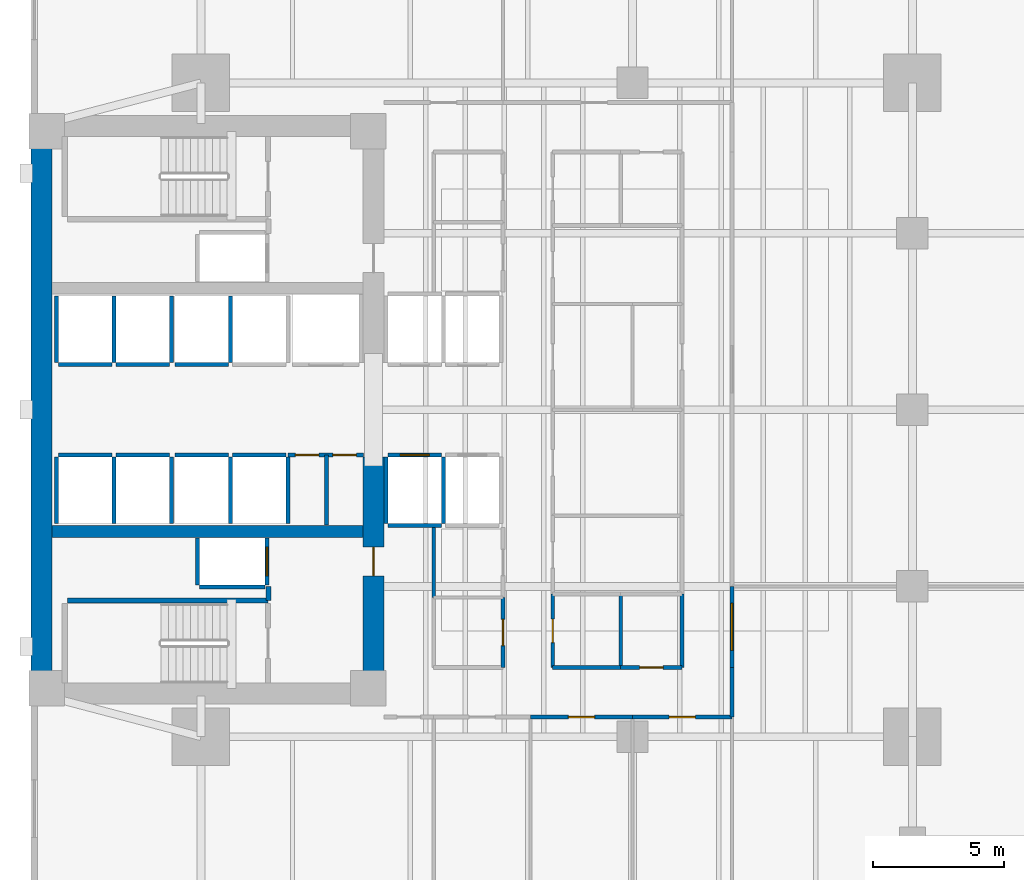
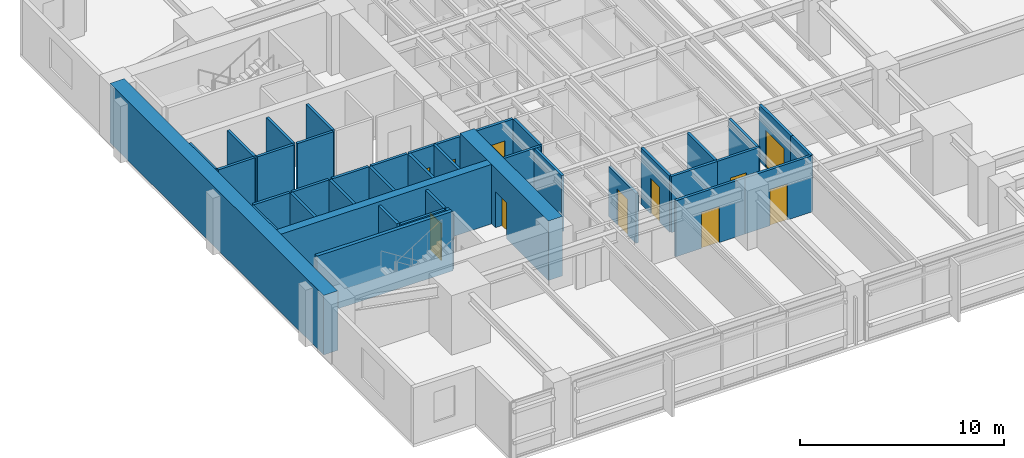
# One storey, part 8 of 15: 41 walls, 11 doors, 11 openings.
"""IFC4 building model written with IfcOpenShell, lengths in metres."""

import ifcopenshell
import ifcopenshell.guid

model = None  # the IFC model being written
_history = None  # IfcOwnerHistory: only IFC2X3 demands one
_inside = {}  # id of a spatial element -> (the spatial element, [elements in it])
_under = {}  # id of a project, library or spatial element -> (it, [spatial elements below it])
_declared = {}  # id of a project -> (the project, [libraries it declares])
_typed = {}  # id of a type object -> (the type object, [elements of that type])
_made_of = {}  # id of a material, layer set ... -> (it, [elements and type objects made of it])


def new_model(schema):
    """Start an empty IFC model of exactly this schema.

    Asked for "IFC4X3", IfcOpenShell would pick the latest addendum, in which some entities
    have other attributes; the version numbers below select the first issue.
    IFC2X3 requires an IfcOwnerHistory on every rooted entity: one is made here for all.
    """
    global model, _history
    if schema == "IFC4X3":
        model = ifcopenshell.file(schema_version=(4, 3, 0, 0))
    else:
        model = ifcopenshell.file(schema=schema)
    _inside.clear()
    _under.clear()
    _declared.clear()
    _typed.clear()
    _made_of.clear()
    _history = None
    if model.schema == "IFC2X3":
        org = make("IfcOrganization", Name="unknown")
        user = make(
            "IfcPersonAndOrganization",
            ThePerson=make("IfcPerson", FamilyName="unknown"),
            TheOrganization=org,
        )
        app = make(
            "IfcApplication",
            ApplicationDeveloper=org,
            Version="unknown",
            ApplicationFullName="unknown",
            ApplicationIdentifier="unknown",
        )
        _history = make(
            "IfcOwnerHistory",
            OwningUser=user,
            OwningApplication=app,
            ChangeAction="ADDED",
            CreationDate=0,
        )
    return model


def make(cls, **values):
    """One entity of the class cls with the attributes given. An attribute that is None is left unset."""
    return model.create_entity(
        cls, **{name: value for name, value in values.items() if value is not None}
    )


def rooted(cls, **values):
    """An entity with a GlobalId (a new one), such as an element, a storey or a relation."""
    return make(cls, GlobalId=ifcopenshell.guid.new(), OwnerHistory=_history, **values)


def si_unit(unit_type, name, prefix=None):
    """IfcSIUnit, for example si_unit("LENGTHUNIT", "METRE", prefix="MILLI")."""
    return make("IfcSIUnit", UnitType=unit_type, Prefix=prefix, Name=name)


def assignment(units):
    """IfcUnitAssignment: the units of a project."""
    return None if units is None else make("IfcUnitAssignment", Units=units)


def point(xyz):
    """IfcCartesianPoint."""
    return None if xyz is None else make("IfcCartesianPoint", Coordinates=xyz)


def direction(xyz):
    """IfcDirection."""
    return None if xyz is None else make("IfcDirection", DirectionRatios=xyz)


def frame(location, z_axis=None, x_axis=None):
    """IfcAxis2Placement3D, a coordinate frame: its origin and axes. An axis left out is left unset."""
    return make(
        "IfcAxis2Placement3D",
        Location=point(location),
        Axis=direction(z_axis),
        RefDirection=direction(x_axis),
    )


def frame_2d(location, x_axis=None):
    """IfcAxis2Placement2D, a coordinate frame in the plane: its origin and x axis."""
    return make(
        "IfcAxis2Placement2D", Location=point(location), RefDirection=direction(x_axis)
    )


def origin():
    """The frame at (0, 0, 0) with its axes left unset."""
    return frame((0.0, 0.0, 0.0))


def place(relative_to, where):
    """IfcLocalPlacement: puts the frame where relative to a parent placement (None: the world)."""
    return make(
        "IfcLocalPlacement", PlacementRelTo=relative_to, RelativePlacement=where
    )


def context(
    kind, dimensions, precision=None, world=None, true_north=None, identifier=None
):
    """IfcGeometricRepresentationContext, for example the 3D "Model" context."""
    return make(
        "IfcGeometricRepresentationContext",
        ContextIdentifier=identifier,
        ContextType=kind,
        CoordinateSpaceDimension=dimensions,
        Precision=precision,
        WorldCoordinateSystem=world,
        TrueNorth=true_north,
    )


def subcontext(parent, identifier, kind, view, scale=None):
    """IfcGeometricRepresentationSubContext, for example "Body" below "Model"."""
    return make(
        "IfcGeometricRepresentationSubContext",
        ContextIdentifier=identifier,
        ContextType=kind,
        ParentContext=parent,
        TargetScale=scale,
        TargetView=view,
    )


def project(units=None, contexts=None):
    """IfcProject with its units and contexts."""
    return rooted(
        "IfcProject",
        Name="project",
        RepresentationContexts=contexts,
        UnitsInContext=assignment(units),
    )


def spatial(cls, under=None, at=None, **own):
    """A site, building, storey or space (cls), placed at a placement, below another one or the project."""
    s = rooted(cls, ObjectPlacement=at, **own)
    if under is not None:
        _under.setdefault(under.id(), (under, []))[1].append(s)
    return s


def profile(cls, at=None, kind="AREA", **sizes):
    """A parametric profile (cls). Its sizes go by their IFC names, for example OverallWidth=200.0."""
    return make(cls, ProfileType=kind, Position=at, **sizes)


def rectangle(**sizes):
    """IfcRectangleProfileDef."""
    return profile("IfcRectangleProfileDef", **sizes)


def extrude(swept, where, along, depth):
    """IfcExtrudedAreaSolid: the profile swept, set in the frame where, extruded along a direction by depth."""
    return make(
        "IfcExtrudedAreaSolid",
        SweptArea=swept,
        Position=where,
        ExtrudedDirection=direction(along),
        Depth=depth,
    )


def shape(context_of_items, identifier, shape_type, items):
    """IfcShapeRepresentation: the items that make up one representation, for example the "Body"."""
    return make(
        "IfcShapeRepresentation",
        ContextOfItems=context_of_items,
        RepresentationIdentifier=identifier,
        RepresentationType=shape_type,
        Items=items,
    )


def material(Name=None, Category=None):
    """IfcMaterial."""
    return make("IfcMaterial", Name=Name, Category=Category)


def layer(
    of_material, thickness, ventilated=None, Name=None, Category=None, Priority=None
):
    """IfcMaterialLayer: one layer of a wall or slab, of a material (None: an air gap)."""
    return make(
        "IfcMaterialLayer",
        Material=of_material,
        LayerThickness=thickness,
        IsVentilated=ventilated,
        Name=Name,
        Category=Category,
        Priority=Priority,
    )


def layer_set(layers, Name=None):
    """IfcMaterialLayerSet."""
    return make("IfcMaterialLayerSet", MaterialLayers=layers, LayerSetName=Name)


def made_of(thing, what):
    """Note that an element or type object is made of a material, layer set ...; save() writes the relation."""
    if what is not None:
        _made_of.setdefault(what.id(), (what, []))[1].append(thing)
    return thing


def type_object(cls, material=None, **own):
    """A type object (cls), such as IfcWallType, which elements share."""
    return made_of(rooted(cls, **own), material)


def element(
    cls,
    number,
    at=None,
    inside=None,
    cuts=None,
    type_object=None,
    material=None,
    context=None,
    identifier="Body",
    shape_type=None,
    held_by="IfcProductDefinitionShape",
    body=None,
    shapes=None,
    **own,
):
    """One element of the class cls, such as IfcWall. Its Tag is "e" and its number.

    at: its placement. inside: the storey or other place that contains it. cuts: it is an
    opening in that element (IfcRelVoidsElement). A single representation is given by context,
    identifier, shape_type and body (its items); several are given by shapes. held_by: the class
    of the entity that holds the representations. save() writes the other relations.
    """
    e = rooted(cls, Tag="e%d" % number, ObjectPlacement=at, **own)
    if body is not None:
        shapes = [shape(context, identifier, shape_type, body)]
    if shapes is not None:
        e.Representation = make(held_by, Representations=shapes)
    if inside is not None:
        _inside.setdefault(inside.id(), (inside, []))[1].append(e)
    if cuts is not None:
        rooted(
            "IfcRelVoidsElement", RelatingBuildingElement=cuts, RelatedOpeningElement=e
        )
    if type_object is not None:
        _typed.setdefault(type_object.id(), (type_object, []))[1].append(e)
    return made_of(e, material)


def fill(opening, filler):
    """IfcRelFillsElement: the door or window that sits in an opening."""
    return rooted(
        "IfcRelFillsElement",
        RelatingOpeningElement=opening,
        RelatedBuildingElement=filler,
    )


def aggregate(whole, parts):
    """IfcRelAggregates: a whole, such as a stair, and the parts it consists of."""
    return rooted("IfcRelAggregates", RelatingObject=whole, RelatedObjects=parts)


def save(model, path):
    """Write the relations noted so far, then the file.

    IfcRelAggregates (storeys below a building ...), IfcRelContainedInSpatialStructure (elements
    in a storey), IfcRelDefinesByType, IfcRelAssociatesMaterial and IfcRelDeclares: one each for
    every whole, place, type object, material and project.
    """
    for whole, parts in _under.values():
        aggregate(whole, parts)
    for where, things in _inside.values():
        rooted(
            "IfcRelContainedInSpatialStructure",
            RelatedElements=things,
            RelatingStructure=where,
        )
    for kind, things in _typed.values():
        rooted("IfcRelDefinesByType", RelatedObjects=things, RelatingType=kind)
    for what, things in _made_of.values():
        rooted("IfcRelAssociatesMaterial", RelatedObjects=things, RelatingMaterial=what)
    for by, libraries in _declared.values():
        rooted("IfcRelDeclares", RelatingContext=by, RelatedDefinitions=libraries)
    model.write(path)


model = new_model("IFC4")

# Units and contexts
model_context = context("Model", 3, precision=1e-05, world=origin(), true_north=direction((0.0, 1.0)))
body_context = subcontext(model_context, "Body", "Model", "MODEL_VIEW")
ifc_project = project(units=[si_unit("LENGTHUNIT", "METRE"), si_unit("AREAUNIT", "SQUARE_METRE"), si_unit("VOLUMEUNIT", "CUBIC_METRE"), si_unit("PLANEANGLEUNIT", "RADIAN"), si_unit("MASSUNIT", "GRAM", prefix="KILO")], contexts=[model_context])

# Site, building, storey
site_placement = place(None, origin())
site = spatial("IfcSite", under=ifc_project, at=site_placement, CompositionType="ELEMENT")
building_placement = place(site_placement, origin())
building = spatial("IfcBuilding", under=site, at=building_placement, Name="Kinhvarn Gate Tower", CompositionType="ELEMENT")
storey_placement = place(building_placement, frame((0.0, 0.0, 89.5)))
storey = spatial("IfcBuildingStorey", under=building, at=storey_placement, Name="L23", CompositionType="ELEMENT", Elevation=89.5)

# Wall
ifc_material_1 = material(Name="Concrete C50/60", Category="concrete")
ifc_layer_1 = layer(ifc_material_1, 0.449951171875)
ifc_layer_set_1 = layer_set([ifc_layer_1], Name="Concrete C50/60")
wall_type_1 = type_object("IfcWallType", Name="WL-CORE-450", PredefinedType="SHEAR", material=ifc_layer_set_1)
wall_1_placement = place(storey_placement, frame((5.300048828125, 20.60009765625, 0.0), z_axis=(0.0, 0.0, 1.0), x_axis=(1.0, 0.0, 0.0)))
element("IfcWall", 1, at=wall_1_placement, inside=storey, type_object=wall_type_1, Name="Core South Spine Shear Wall L23 450 mm", PredefinedType="SHEAR", context=body_context, shape_type="SweptSolid", body=[
    extrude(rectangle(XDim=11.89990234375, YDim=0.449951171875, at=frame_2d((5.949951171875, 0.0))), origin(), (0.0, 0.0, 1.0), 3.550048828125),
])

# Wall, opening, door
ifc_material_2 = material(Name="Concrete C70/85", Category="concrete")
ifc_layer_2 = layer(ifc_material_2, 0.800048828125)
ifc_layer_set_2 = layer_set([ifc_layer_2], Name="Concrete C70/85")
wall_type_2 = type_object("IfcWallType", Name="WL-CORE-800", PredefinedType="SHEAR", material=ifc_layer_set_2)
wall_2_placement = place(storey_placement, frame((17.60009765625, 14.800048828125, 0.0), z_axis=(0.0, 0.0, 1.0), x_axis=(0.0, 1.0, 0.0)))
wall_2 = element("IfcWall", 2, at=wall_2_placement, inside=storey, type_object=wall_type_2, Name="Core East-South Shear Pier L23 800 mm", PredefinedType="SHEAR", context=body_context, shape_type="SweptSolid", body=[
    extrude(rectangle(XDim=8.64990234375, YDim=0.800048828125, at=frame_2d((4.324951171875, 0.0))), origin(), (0.0, 0.0, 1.0), 3.550048828125),
])
opening_1_placement = place(wall_2_placement, frame((4.10009765625, 0.0, 0.0)))
opening_1 = element("IfcOpeningElement", 3, at=opening_1_placement, cuts=wall_2, Name="Opening FD-02", PredefinedType="OPENING", context=body_context, shape_type="SweptSolid", body=[
    extrude(rectangle(XDim=1.10009765625, YDim=2.14990234375, at=frame_2d((0.550048828125, 1.074951171875))), frame((0.0, 0.41015625, 0.0), z_axis=(0.0, -1.0, 0.0), x_axis=(1.0, 0.0, 0.0)), (0.0, 0.0, 1.0), 0.820068359375),
])
ifc_material_3 = material(Name="Anodised aluminium AW-6063", Category="aluminium")
door_type_1 = type_object("IfcDoorType", Name="DR-FD-1100", OperationType="NOTDEFINED", PredefinedType="DOOR", material=ifc_material_3)
door_1_placement = place(opening_1_placement, origin())
door_1 = element("IfcDoor", 4, at=door_1_placement, inside=storey, type_object=door_type_1, Name="Firefighting Lobby Core Door (L23)", OperationType="SINGLE_SWING_RIGHT", OverallHeight=2.14990234375, OverallWidth=1.10009765625, PredefinedType="DOOR", context=body_context, shape_type="SweptSolid", body=[
    extrude(rectangle(XDim=1.10009765625, YDim=2.14990234375, at=frame_2d((0.550048828125, 1.074951171875))), frame((0.0, 0.02490234375, 0.0), z_axis=(0.0, -1.0, 0.0), x_axis=(1.0, 0.0, 0.0)), (0.0, 0.0, 1.0), 0.050048828125),
])
fill(opening_1, door_1)

# Walls
ifc_layer_3 = layer(ifc_material_2, 0.800048828125)
ifc_layer_set_3 = layer_set([ifc_layer_3], Name="Concrete C70/85")
wall_type_3 = type_object("IfcWallType", Name="WL-COREX-800", PredefinedType="SHEAR", material=ifc_layer_set_3)
wall_3_placement = place(storey_placement, frame((4.89990234375, 14.800048828125, 0.0), z_axis=(0.0, 0.0, 1.0), x_axis=(0.0, 1.0, 0.0)))
element("IfcWall", 5, at=wall_3_placement, inside=storey, type_object=wall_type_3, Name="Core West Shear Wall L23 800 mm", PredefinedType="SHEAR", context=body_context, shape_type="SweptSolid", body=[
    extrude(rectangle(XDim=20.89990234375, YDim=0.800048828125, at=frame_2d((10.449951171875, 0.0))), origin(), (0.0, 0.0, 1.0), 3.550048828125),
])
ifc_material_4 = material(Name="Gypsum acoustic partition board")
ifc_layer_4 = layer(ifc_material_4, 0.14990234375)
ifc_layer_set_4 = layer_set([ifc_layer_4], Name="Gypsum acoustic partition board")
wall_type_4 = type_object("IfcWallType", Name="WL-PLM-150", PredefinedType="PLUMBINGWALL", material=ifc_layer_set_4)
wall_4_placement = place(storey_placement, frame((27.050048828125, 15.39990234375, 0.0), z_axis=(0.0, 0.0, 1.0), x_axis=(0.0, 1.0, 0.0)))
element("IfcWall", 6, at=wall_4_placement, inside=storey, type_object=wall_type_4, Name="Interior Partition PLW-150 (L23)", PredefinedType="PLUMBINGWALL", context=body_context, shape_type="SweptSolid", body=[
    extrude(rectangle(XDim=2.800048828125, YDim=0.14990234375, at=frame_2d((1.39990234375, 0.0))), origin(), (0.0, 0.0, 1.0), 3.35009765625),
])

# Wall, opening, door
ifc_layer_5 = layer(ifc_material_4, 0.14990234375)
ifc_layer_set_5 = layer_set([ifc_layer_5], Name="Gypsum acoustic partition board")
wall_type_5 = type_object("IfcWallType", Name="WL-PLM-150F", PredefinedType="PLUMBINGWALL", material=ifc_layer_set_5)
wall_5_placement = place(storey_placement, frame((24.449951171875, 15.39990234375, 0.0), z_axis=(0.0, 0.0, 1.0), x_axis=(0.0, 1.0, 0.0)))
wall_5 = element("IfcWall", 7, at=wall_5_placement, inside=storey, type_object=wall_type_5, Name="Interior Partition PLW-150F (L23)", PredefinedType="PLUMBINGWALL", context=body_context, shape_type="SweptSolid", body=[
    extrude(rectangle(XDim=2.800048828125, YDim=0.14990234375, at=frame_2d((1.39990234375, 0.0))), origin(), (0.0, 0.0, 1.0), 3.35009765625),
])
opening_2_placement = place(wall_5_placement, frame((0.949951171875, 0.0, 0.0)))
opening_2 = element("IfcOpeningElement", 8, at=opening_2_placement, cuts=wall_5, Name="Opening FD-04", PredefinedType="OPENING", context=body_context, shape_type="SweptSolid", body=[
    extrude(rectangle(XDim=0.89990234375, YDim=2.10009765625, at=frame_2d((0.449951171875, 1.050048828125))), frame((0.0, 0.0849609375, 0.0), z_axis=(0.0, -1.0, 0.0), x_axis=(1.0, 0.0, 0.0)), (0.0, 0.0, 1.0), 0.169921875),
])
door_type_2 = type_object("IfcDoorType", Name="DR-FD-900", OperationType="NOTDEFINED", PredefinedType="DOOR", material=ifc_material_3)
door_2_placement = place(opening_2_placement, origin())
door_2 = element("IfcDoor", 9, at=door_2_placement, inside=storey, type_object=door_type_2, Name="Rated Riser & Service Closet Fire Door 900x2100 mm (L23)", OperationType="SINGLE_SWING_RIGHT", OverallHeight=2.10009765625, OverallWidth=0.89990234375, PredefinedType="DOOR", context=body_context, shape_type="SweptSolid", body=[
    extrude(rectangle(XDim=0.89990234375, YDim=2.10009765625, at=frame_2d((0.449951171875, 1.050048828125))), frame((0.0, 0.02490234375, 0.0), z_axis=(0.0, -1.0, 0.0), x_axis=(1.0, 0.0, 0.0)), (0.0, 0.0, 1.0), 0.050048828125),
])
fill(opening_2, door_2)

# Wall
wall_6_placement = place(storey_placement, frame((24.449951171875, 15.39990234375, 0.0), z_axis=(0.0, 0.0, 1.0), x_axis=(1.0, 0.0, 0.0)))
element("IfcWall", 10, at=wall_6_placement, inside=storey, type_object=wall_type_5, Name="Interior Partition PLW-150F (L23)", PredefinedType="PLUMBINGWALL", context=body_context, shape_type="SweptSolid", body=[
    extrude(rectangle(XDim=2.60009765625, YDim=0.14990234375, at=frame_2d((1.300048828125, 0.0))), origin(), (0.0, 0.0, 1.0), 3.35009765625),
])

# Wall, opening, door
wall_7_placement = place(storey_placement, frame((27.050048828125, 15.39990234375, 0.0), z_axis=(0.0, 0.0, 1.0), x_axis=(1.0, 0.0, 0.0)))
wall_7 = element("IfcWall", 11, at=wall_7_placement, inside=storey, type_object=wall_type_5, Name="Interior Partition PLW-150F (L23)", PredefinedType="PLUMBINGWALL", context=body_context, shape_type="SweptSolid", body=[
    extrude(rectangle(XDim=2.349853515625, YDim=0.14990234375, at=frame_2d((1.1748046875, 0.0))), origin(), (0.0, 0.0, 1.0), 3.35009765625),
])
opening_3_placement = place(wall_7_placement, frame((0.72509765625, 0.0, 0.0)))
opening_3 = element("IfcOpeningElement", 12, at=opening_3_placement, cuts=wall_7, Name="Opening FD-04", PredefinedType="OPENING", context=body_context, shape_type="SweptSolid", body=[
    extrude(rectangle(XDim=0.89990234375, YDim=2.10009765625, at=frame_2d((0.449951171875, 1.050048828125))), frame((0.0, 0.0849609375, 0.0), z_axis=(0.0, -1.0, 0.0), x_axis=(1.0, 0.0, 0.0)), (0.0, 0.0, 1.0), 0.169921875),
])
door_3_placement = place(opening_3_placement, origin())
door_3 = element("IfcDoor", 13, at=door_3_placement, inside=storey, type_object=door_type_2, Name="Rated Riser & Service Closet Fire Door 900x2100 mm (L23)", OperationType="SINGLE_SWING_RIGHT", OverallHeight=2.10009765625, OverallWidth=0.89990234375, PredefinedType="DOOR", context=body_context, shape_type="SweptSolid", body=[
    extrude(rectangle(XDim=0.89990234375, YDim=2.10009765625, at=frame_2d((0.449951171875, 1.050048828125))), frame((0.0, 0.02490234375, 0.0), z_axis=(0.0, -1.0, 0.0), x_axis=(1.0, 0.0, 0.0)), (0.0, 0.0, 1.0), 0.050048828125),
])
fill(opening_3, door_3)

# Walls
wall_8_placement = place(storey_placement, frame((29.39990234375, 15.39990234375, 0.0), z_axis=(0.0, 0.0, 1.0), x_axis=(0.0, 1.0, 0.0)))
element("IfcWall", 14, at=wall_8_placement, inside=storey, type_object=wall_type_5, Name="Interior Partition PLW-150F (L23)", PredefinedType="PLUMBINGWALL", context=body_context, shape_type="SweptSolid", body=[
    extrude(rectangle(XDim=2.800048828125, YDim=0.14990234375, at=frame_2d((1.39990234375, 0.0))), origin(), (0.0, 0.0, 1.0), 3.35009765625),
])
ifc_layer_6 = layer(ifc_material_4, 0.14990234375)
ifc_layer_set_6 = layer_set([ifc_layer_6], Name="Gypsum acoustic partition board")
wall_type_6 = type_object("IfcWallType", Name="WL-PRT-150F", PredefinedType="PARTITIONING", material=ifc_layer_set_6)
wall_9_placement = place(storey_placement, frame((15.800048828125, 20.85009765625, 0.0), z_axis=(0.0, 0.0, 1.0), x_axis=(0.0, 1.0, 0.0)))
element("IfcWall", 15, at=wall_9_placement, inside=storey, type_object=wall_type_6, Name="Interior Partition PW-150F (L23)", PredefinedType="PARTITIONING", context=body_context, shape_type="SweptSolid", body=[
    extrude(rectangle(XDim=2.669921875, YDim=0.14990234375, at=frame_2d((1.3349609375, 0.0))), origin(), (0.0, 0.0, 1.0), 3.35009765625),
])

# Wall, openings, doors
wall_10_placement = place(storey_placement, frame((14.330078125, 23.52001953125, 0.0), z_axis=(0.0, 0.0, 1.0), x_axis=(1.0, 0.0, 0.0)))
wall_10 = element("IfcWall", 16, at=wall_10_placement, inside=storey, type_object=wall_type_6, Name="Interior Partition PW-150F (L23)", PredefinedType="PARTITIONING", context=body_context, shape_type="SweptSolid", body=[
    extrude(rectangle(XDim=2.889892578125, YDim=0.14990234375, at=frame_2d((1.44482421875, 0.0))), origin(), (0.0, 0.0, 1.0), 3.35009765625),
])
opening_4_placement = place(wall_10_placement, frame((0.280029296875, 0.0, 0.0)))
opening_4 = element("IfcOpeningElement", 17, at=opening_4_placement, cuts=wall_10, Name="Opening FD-04", PredefinedType="OPENING", context=body_context, shape_type="SweptSolid", body=[
    extrude(rectangle(XDim=0.89990234375, YDim=2.10009765625, at=frame_2d((0.449951171875, 1.050048828125))), frame((0.0, 0.0849609375, 0.0), z_axis=(0.0, -1.0, 0.0), x_axis=(1.0, 0.0, 0.0)), (0.0, 0.0, 1.0), 0.169921875),
])
opening_5_placement = place(wall_10_placement, frame((1.7099609375, 0.0, 0.0)))
opening_5 = element("IfcOpeningElement", 18, at=opening_5_placement, cuts=wall_10, Name="Opening FD-04", PredefinedType="OPENING", context=body_context, shape_type="SweptSolid", body=[
    extrude(rectangle(XDim=0.89990234375, YDim=2.10009765625, at=frame_2d((0.449951171875, 1.050048828125))), frame((0.0, 0.0849609375, 0.0), z_axis=(0.0, -1.0, 0.0), x_axis=(1.0, 0.0, 0.0)), (0.0, 0.0, 1.0), 0.169921875),
])
door_4_placement = place(opening_4_placement, origin())
door_4 = element("IfcDoor", 19, at=door_4_placement, inside=storey, type_object=door_type_2, Name="Rated Riser & Service Closet Fire Door 900x2100 mm (L23)", OperationType="SINGLE_SWING_RIGHT", OverallHeight=2.10009765625, OverallWidth=0.89990234375, PredefinedType="DOOR", context=body_context, shape_type="SweptSolid", body=[
    extrude(rectangle(XDim=0.89990234375, YDim=2.10009765625, at=frame_2d((0.449951171875, 1.050048828125))), frame((0.0, 0.02490234375, 0.0), z_axis=(0.0, -1.0, 0.0), x_axis=(1.0, 0.0, 0.0)), (0.0, 0.0, 1.0), 0.050048828125),
])
fill(opening_4, door_4)
door_5_placement = place(opening_5_placement, origin())
door_5 = element("IfcDoor", 20, at=door_5_placement, inside=storey, type_object=door_type_2, Name="Rated Riser & Service Closet Fire Door 900x2100 mm (L23)", OperationType="SINGLE_SWING_LEFT", OverallHeight=2.10009765625, OverallWidth=0.89990234375, PredefinedType="DOOR", context=body_context, shape_type="SweptSolid", body=[
    extrude(rectangle(XDim=0.89990234375, YDim=2.10009765625, at=frame_2d((0.449951171875, 1.050048828125))), frame((0.0, 0.02490234375, 0.0), z_axis=(0.0, -1.0, 0.0), x_axis=(1.0, 0.0, 0.0)), (0.0, 0.0, 1.0), 0.050048828125),
])
fill(opening_5, door_5)

# Wall, opening, door
wall_11_placement = place(storey_placement, frame((22.550048828125, 15.39990234375, 0.0), z_axis=(0.0, 0.0, 1.0), x_axis=(0.0, 1.0, 0.0)))
wall_11 = element("IfcWall", 21, at=wall_11_placement, inside=storey, type_object=wall_type_6, Name="Interior Partition PW-150F (L23)", PredefinedType="PARTITIONING", context=body_context, shape_type="SweptSolid", body=[
    extrude(rectangle(XDim=2.670166015625, YDim=0.14990234375, at=frame_2d((1.3349609375, 0.0))), origin(), (0.0, 0.0, 1.0), 2.989990234375),
])
opening_6_placement = place(wall_11_placement, frame((0.8349609375, 0.0, 0.0)))
opening_6 = element("IfcOpeningElement", 22, at=opening_6_placement, cuts=wall_11, Name="Opening ID-02", PredefinedType="OPENING", context=body_context, shape_type="SweptSolid", body=[
    extrude(rectangle(XDim=1.0, YDim=2.14990234375, at=frame_2d((0.5, 1.074951171875))), frame((0.0, 0.0849609375, 0.0), z_axis=(0.0, -1.0, 0.0), x_axis=(1.0, 0.0, 0.0)), (0.0, 0.0, 1.0), 0.169921875),
])
door_type_3 = type_object("IfcDoorType", Name="DR-INT-1000", OperationType="NOTDEFINED", PredefinedType="DOOR", material=ifc_material_3)
door_6_placement = place(opening_6_placement, origin())
door_6 = element("IfcDoor", 23, at=door_6_placement, inside=storey, type_object=door_type_3, Name="Standard Office & Meeting Room Door 1000x2150 mm (L23)", OperationType="SINGLE_SWING_RIGHT", OverallHeight=2.14990234375, OverallWidth=1.0, PredefinedType="DOOR", context=body_context, shape_type="SweptSolid", body=[
    extrude(rectangle(XDim=1.0, YDim=2.14990234375, at=frame_2d((0.5, 1.074951171875))), frame((0.0, 0.02490234375, 0.0), z_axis=(0.0, -1.0, 0.0), x_axis=(1.0, 0.0, 0.0)), (0.0, 0.0, 1.0), 0.050048828125),
])
fill(opening_6, door_6)

# Wall
wall_12_placement = place(storey_placement, frame((19.89990234375, 18.070068359375, 0.0), z_axis=(0.0, 0.0, 1.0), x_axis=(0.0, 1.0, 0.0)))
element("IfcWall", 24, at=wall_12_placement, inside=storey, type_object=wall_type_6, Name="Interior Partition PW-150F (L23)", PredefinedType="PARTITIONING", context=body_context, shape_type="SweptSolid", body=[
    extrude(rectangle(XDim=2.679931640625, YDim=0.14990234375, at=frame_2d((1.33984375, 0.0))), origin(), (0.0, 0.0, 1.0), 3.35009765625),
])

# Wall, opening, door
wall_13_placement = place(storey_placement, frame((23.60009765625, 13.5, 0.0), z_axis=(0.0, 0.0, 1.0), x_axis=(1.0, 0.0, 0.0)))
wall_13 = element("IfcWall", 25, at=wall_13_placement, inside=storey, type_object=wall_type_6, Name="Interior Partition PW-150F (L23)", PredefinedType="PARTITIONING", context=body_context, shape_type="SweptSolid", body=[
    extrude(rectangle(XDim=3.89990234375, YDim=0.14990234375, at=frame_2d((1.949951171875, 0.0))), origin(), (0.0, 0.0, 1.0), 3.35009765625),
])
opening_7_placement = place(wall_13_placement, frame((1.449951171875, 0.0, 0.0)))
opening_7 = element("IfcOpeningElement", 26, at=opening_7_placement, cuts=wall_13, Name="Opening ID-02", PredefinedType="OPENING", context=body_context, shape_type="SweptSolid", body=[
    extrude(rectangle(XDim=1.0, YDim=2.14990234375, at=frame_2d((0.5, 1.074951171875))), frame((0.0, 0.0849609375, 0.0), z_axis=(0.0, -1.0, 0.0), x_axis=(1.0, 0.0, 0.0)), (0.0, 0.0, 1.0), 0.169921875),
])
door_7_placement = place(opening_7_placement, origin())
door_7 = element("IfcDoor", 27, at=door_7_placement, inside=storey, type_object=door_type_3, Name="Standard Office & Meeting Room Door 1000x2150 mm (L23)", OperationType="SINGLE_SWING_LEFT", OverallHeight=2.14990234375, OverallWidth=1.0, PredefinedType="DOOR", context=body_context, shape_type="SweptSolid", body=[
    extrude(rectangle(XDim=1.0, YDim=2.14990234375, at=frame_2d((0.5, 1.074951171875))), frame((0.0, 0.02490234375, 0.0), z_axis=(0.0, -1.0, 0.0), x_axis=(1.0, 0.0, 0.0)), (0.0, 0.0, 1.0), 0.050048828125),
])
fill(opening_7, door_7)

wall_14_placement = place(storey_placement, frame((27.5, 13.5, 0.0), z_axis=(0.0, 0.0, 1.0), x_axis=(1.0, 0.0, 0.0)))
wall_14 = element("IfcWall", 28, at=wall_14_placement, inside=storey, type_object=wall_type_6, Name="Interior Partition PW-150F (L23)", PredefinedType="PARTITIONING", context=body_context, shape_type="SweptSolid", body=[
    extrude(rectangle(XDim=3.800048828125, YDim=0.14990234375, at=frame_2d((1.89990234375, 0.0))), origin(), (0.0, 0.0, 1.0), 3.35009765625),
])
opening_8_placement = place(wall_14_placement, frame((1.39990234375, 0.0, 0.0)))
opening_8 = element("IfcOpeningElement", 29, at=opening_8_placement, cuts=wall_14, Name="Opening ID-02", PredefinedType="OPENING", context=body_context, shape_type="SweptSolid", body=[
    extrude(rectangle(XDim=1.0, YDim=2.14990234375, at=frame_2d((0.5, 1.074951171875))), frame((0.0, 0.0849609375, 0.0), z_axis=(0.0, -1.0, 0.0), x_axis=(1.0, 0.0, 0.0)), (0.0, 0.0, 1.0), 0.169921875),
])
door_8_placement = place(opening_8_placement, origin())
door_8 = element("IfcDoor", 30, at=door_8_placement, inside=storey, type_object=door_type_3, Name="Standard Office & Meeting Room Door 1000x2150 mm (L23)", OperationType="SINGLE_SWING_RIGHT", OverallHeight=2.14990234375, OverallWidth=1.0, PredefinedType="DOOR", context=body_context, shape_type="SweptSolid", body=[
    extrude(rectangle(XDim=1.0, YDim=2.14990234375, at=frame_2d((0.5, 1.074951171875))), frame((0.0, 0.02490234375, 0.0), z_axis=(0.0, -1.0, 0.0), x_axis=(1.0, 0.0, 0.0)), (0.0, 0.0, 1.0), 0.050048828125),
])
fill(opening_8, door_8)

# Wall
wall_15_placement = place(storey_placement, frame((31.300048828125, 13.5, 0.0), z_axis=(0.0, 0.0, 1.0), x_axis=(0.0, 1.0, 0.0)))
element("IfcWall", 31, at=wall_15_placement, inside=storey, type_object=wall_type_6, Name="Interior Partition PW-150F (L23)", PredefinedType="PARTITIONING", context=body_context, shape_type="SweptSolid", body=[
    extrude(rectangle(XDim=1.89990234375, YDim=0.14990234375, at=frame_2d((0.949951171875, 0.0))), origin(), (0.0, 0.0, 1.0), 3.35009765625),
])

# Wall, opening, door
wall_16_placement = place(storey_placement, frame((31.300048828125, 15.39990234375, 0.0), z_axis=(0.0, 0.0, 1.0), x_axis=(0.0, 1.0, 0.0)))
wall_16 = element("IfcWall", 32, at=wall_16_placement, inside=storey, type_object=wall_type_6, Name="Interior Partition PW-150F (L23)", PredefinedType="PARTITIONING", context=body_context, shape_type="SweptSolid", body=[
    extrude(rectangle(XDim=3.10009765625, YDim=0.14990234375, at=frame_2d((1.550048828125, 0.0))), origin(), (0.0, 0.0, 1.0), 3.35009765625),
])
opening_9_placement = place(wall_16_placement, frame((0.64990234375, 0.0, 0.0)))
opening_9 = element("IfcOpeningElement", 33, at=opening_9_placement, cuts=wall_16, Name="Opening ID-04", PredefinedType="OPENING", context=body_context, shape_type="SweptSolid", body=[
    extrude(rectangle(XDim=1.800048828125, YDim=2.199951171875, at=frame_2d((0.89990234375, 1.10009765625))), frame((0.0, 0.0849609375, 0.0), z_axis=(0.0, -1.0, 0.0), x_axis=(1.0, 0.0, 0.0)), (0.0, 0.0, 1.0), 0.169921875),
])
ifc_material_5 = material(Name="Clear low-e double glazing", Category="glass")
door_type_4 = type_object("IfcDoorType", Name="DR-GLZ-1800", OperationType="NOTDEFINED", PredefinedType="DOOR", material=ifc_material_5)
door_9_placement = place(opening_9_placement, origin())
door_9 = element("IfcDoor", 34, at=door_9_placement, inside=storey, type_object=door_type_4, Name="Double Glazed Forum & Sky-Lobby Door 1800x2200 mm (L23)", OperationType="DOUBLE_DOOR_SINGLE_SWING", OverallHeight=2.199951171875, OverallWidth=1.800048828125, PredefinedType="DOOR", context=body_context, shape_type="SweptSolid", body=[
    extrude(rectangle(XDim=1.800048828125, YDim=2.199951171875, at=frame_2d((0.89990234375, 1.10009765625))), frame((0.0, 0.02490234375, 0.0), z_axis=(0.0, -1.0, 0.0), x_axis=(1.0, 0.0, 0.0)), (0.0, 0.0, 1.0), 0.050048828125),
])
fill(opening_9, door_9)

# Walls
ifc_layer_7 = layer(ifc_material_4, 0.199951171875)
ifc_layer_set_7 = layer_set([ifc_layer_7], Name="Gypsum acoustic partition board")
wall_type_7 = type_object("IfcWallType", Name="WL-PRT-200", PredefinedType="PARTITIONING", material=ifc_layer_set_7)
wall_17_placement = place(storey_placement, frame((13.580078125, 17.9599609375, 0.0), z_axis=(0.0, 0.0, 1.0), x_axis=(0.0, 1.0, 0.0)))
element("IfcWall", 35, at=wall_17_placement, inside=storey, type_object=wall_type_7, Name="Interior Partition PW-200 (L23)", PredefinedType="PARTITIONING", context=body_context, shape_type="SweptSolid", body=[
    extrude(rectangle(XDim=0.5400390625, YDim=0.199951171875, at=frame_2d((0.27001953125, 0.0))), origin(), (0.0, 0.0, 1.0), 3.35009765625),
])
ifc_layer_8 = layer(ifc_material_4, 0.14990234375)
ifc_layer_set_8 = layer_set([ifc_layer_8], Name="Gypsum acoustic partition board")
wall_type_8 = type_object("IfcWallType", Name="WL-SHF-150", PredefinedType="PARTITIONING", material=ifc_layer_set_8)
wall_18_placement = place(storey_placement, frame((18.14990234375, 20.824951171875, 0.0), z_axis=(0.0, 0.0, 1.0), x_axis=(1.0, 0.0, 0.0)))
element("IfcWall", 36, at=wall_18_placement, inside=storey, type_object=wall_type_8, Name="Elevator PL-01 Hoistway Wall S (L23)", PredefinedType="PARTITIONING", context=body_context, shape_type="SweptSolid", body=[
    extrude(rectangle(XDim=2.050048828125, YDim=0.14990234375, at=frame_2d((1.02490234375, 0.0))), origin(), (0.0, 0.0, 1.0), 3.35009765625),
])

# Wall, opening, door
wall_19_placement = place(storey_placement, frame((18.14990234375, 23.52490234375, 0.0), z_axis=(0.0, 0.0, 1.0), x_axis=(1.0, 0.0, 0.0)))
wall_19 = element("IfcWall", 37, at=wall_19_placement, inside=storey, type_object=wall_type_8, Name="Elevator PL-01 Landing Wall (L23)", PredefinedType="PARTITIONING", context=body_context, shape_type="SweptSolid", body=[
    extrude(rectangle(XDim=2.050048828125, YDim=0.14990234375, at=frame_2d((1.02490234375, 0.0))), origin(), (0.0, 0.0, 1.0), 3.35009765625),
])
opening_10_placement = place(wall_19_placement, frame((0.47509765625, 0.0, 0.0)))
opening_10 = element("IfcOpeningElement", 38, at=opening_10_placement, cuts=wall_19, Name="Opening LD-01", PredefinedType="OPENING", context=body_context, shape_type="SweptSolid", body=[
    extrude(rectangle(XDim=1.10009765625, YDim=2.199951171875, at=frame_2d((0.550048828125, 1.10009765625))), frame((0.0, 0.0849609375, 0.0), z_axis=(0.0, -1.0, 0.0), x_axis=(1.0, 0.0, 0.0)), (0.0, 0.0, 1.0), 0.169921875),
])
door_type_5 = type_object("IfcDoorType", Name="DR-LND-PAS", OperationType="NOTDEFINED", PredefinedType="DOOR", material=ifc_material_3)
door_10_placement = place(opening_10_placement, origin())
door_10 = element("IfcDoor", 39, at=door_10_placement, inside=storey, type_object=door_type_5, Name="Elevator PL-01 Sliding Landing Door (L23)", OperationType="DOUBLE_DOOR_SLIDING", OverallHeight=2.199951171875, OverallWidth=1.10009765625, PredefinedType="DOOR", context=body_context, shape_type="SweptSolid", body=[
    extrude(rectangle(XDim=1.10009765625, YDim=2.199951171875, at=frame_2d((0.550048828125, 1.10009765625))), frame((0.0, 0.02490234375, 0.0), z_axis=(0.0, -1.0, 0.0), x_axis=(1.0, 0.0, 0.0)), (0.0, 0.0, 1.0), 0.050048828125),
])
fill(opening_10, door_10)

# Walls
for number, where, z_axis, x_axis, name in (
    (40, (18.074951171875, 20.89990234375, 0.0), (0.0, 0.0, 1.0), (0.0, 1.0, 0.0), "Elevator PL-01 Hoistway Wall W (L23)"),
    (41, (20.27490234375, 20.89990234375, 0.0), (0.0, 0.0, 1.0), (0.0, 1.0, 0.0), "Elevator PL-01 Hoistway Wall E (L23)"),
):
    element("IfcWall", number, at=place(storey_placement, frame(where, z_axis=z_axis, x_axis=x_axis)), inside=storey, type_object=wall_type_8, Name=name, PredefinedType="PARTITIONING", context=body_context, shape_type="SweptSolid", body=[
        extrude(rectangle(XDim=2.550048828125, YDim=0.14990234375, at=frame_2d((1.27490234375, 0.0))), origin(), (0.0, 0.0, 1.0), 3.35009765625),
    ])
wall_20_placement = place(storey_placement, frame((5.550048828125, 23.52490234375, 0.0), z_axis=(0.0, 0.0, 1.0), x_axis=(1.0, 0.0, 0.0)))
element("IfcWall", 42, at=wall_20_placement, inside=storey, type_object=wall_type_8, Name="Elevator PM-05 Landing Wall (L23)", PredefinedType="PARTITIONING", context=body_context, shape_type="SweptSolid", body=[
    extrude(rectangle(XDim=2.050048828125, YDim=0.14990234375, at=frame_2d((1.02490234375, 0.0))), origin(), (0.0, 0.0, 1.0), 3.35009765625),
])
for number, where, z_axis, x_axis, name in (
    (43, (5.47509765625, 20.89990234375, 0.0), (0.0, 0.0, 1.0), (0.0, 1.0, 0.0), "Elevator PM-05 Hoistway Wall W (L23)"),
    (44, (7.675048828125, 20.89990234375, 0.0), (0.0, 0.0, 1.0), (0.0, 1.0, 0.0), "Elevator PM-05 Hoistway Wall E (L23)"),
):
    element("IfcWall", number, at=place(storey_placement, frame(where, z_axis=z_axis, x_axis=x_axis)), inside=storey, type_object=wall_type_8, Name=name, PredefinedType="PARTITIONING", context=body_context, shape_type="SweptSolid", body=[
        extrude(rectangle(XDim=2.550048828125, YDim=0.14990234375, at=frame_2d((1.27490234375, 0.0))), origin(), (0.0, 0.0, 1.0), 3.35009765625),
    ])
wall_21_placement = place(storey_placement, frame((7.75, 23.52490234375, 0.0), z_axis=(0.0, 0.0, 1.0), x_axis=(1.0, 0.0, 0.0)))
element("IfcWall", 45, at=wall_21_placement, inside=storey, type_object=wall_type_8, Name="Elevator PM-06 Landing Wall (L23)", PredefinedType="PARTITIONING", context=body_context, shape_type="SweptSolid", body=[
    extrude(rectangle(XDim=2.050048828125, YDim=0.14990234375, at=frame_2d((1.02490234375, 0.0))), origin(), (0.0, 0.0, 1.0), 3.35009765625),
])
wall_22_placement = place(storey_placement, frame((9.875, 20.89990234375, 0.0), z_axis=(0.0, 0.0, 1.0), x_axis=(0.0, 1.0, 0.0)))
element("IfcWall", 46, at=wall_22_placement, inside=storey, type_object=wall_type_8, Name="Elevator PM-06 Hoistway Wall E (L23)", PredefinedType="PARTITIONING", context=body_context, shape_type="SweptSolid", body=[
    extrude(rectangle(XDim=2.550048828125, YDim=0.14990234375, at=frame_2d((1.27490234375, 0.0))), origin(), (0.0, 0.0, 1.0), 3.35009765625),
])
wall_23_placement = place(storey_placement, frame((5.550048828125, 26.97509765625, 0.0), z_axis=(0.0, 0.0, 1.0), x_axis=(1.0, 0.0, 0.0)))
element("IfcWall", 47, at=wall_23_placement, inside=storey, type_object=wall_type_8, Name="Elevator PM-07 Landing Wall (L23)", PredefinedType="PARTITIONING", context=body_context, shape_type="SweptSolid", body=[
    extrude(rectangle(XDim=2.050048828125, YDim=0.14990234375, at=frame_2d((1.02490234375, 0.0))), origin(), (0.0, 0.0, 1.0), 3.35009765625),
])
for number, where, z_axis, x_axis, name in (
    (48, (5.47509765625, 27.050048828125, 0.0), (0.0, 0.0, 1.0), (0.0, 1.0, 0.0), "Elevator PM-07 Hoistway Wall W (L23)"),
    (49, (7.675048828125, 27.050048828125, 0.0), (0.0, 0.0, 1.0), (0.0, 1.0, 0.0), "Elevator PM-07 Hoistway Wall E (L23)"),
):
    element("IfcWall", number, at=place(storey_placement, frame(where, z_axis=z_axis, x_axis=x_axis)), inside=storey, type_object=wall_type_8, Name=name, PredefinedType="PARTITIONING", context=body_context, shape_type="SweptSolid", body=[
        extrude(rectangle(XDim=2.550048828125, YDim=0.14990234375, at=frame_2d((1.27490234375, 0.0))), origin(), (0.0, 0.0, 1.0), 3.35009765625),
    ])
wall_24_placement = place(storey_placement, frame((7.75, 26.97509765625, 0.0), z_axis=(0.0, 0.0, 1.0), x_axis=(1.0, 0.0, 0.0)))
element("IfcWall", 50, at=wall_24_placement, inside=storey, type_object=wall_type_8, Name="Elevator PM-08 Landing Wall (L23)", PredefinedType="PARTITIONING", context=body_context, shape_type="SweptSolid", body=[
    extrude(rectangle(XDim=2.050048828125, YDim=0.14990234375, at=frame_2d((1.02490234375, 0.0))), origin(), (0.0, 0.0, 1.0), 3.35009765625),
])
wall_25_placement = place(storey_placement, frame((9.875, 27.050048828125, 0.0), z_axis=(0.0, 0.0, 1.0), x_axis=(0.0, 1.0, 0.0)))
element("IfcWall", 51, at=wall_25_placement, inside=storey, type_object=wall_type_8, Name="Elevator PM-08 Hoistway Wall E (L23)", PredefinedType="PARTITIONING", context=body_context, shape_type="SweptSolid", body=[
    extrude(rectangle(XDim=2.550048828125, YDim=0.14990234375, at=frame_2d((1.27490234375, 0.0))), origin(), (0.0, 0.0, 1.0), 3.35009765625),
])
wall_26_placement = place(storey_placement, frame((10.0, 23.52490234375, 0.0), z_axis=(0.0, 0.0, 1.0), x_axis=(1.0, 0.0, 0.0)))
element("IfcWall", 52, at=wall_26_placement, inside=storey, type_object=wall_type_8, Name="Elevator PH-09 Landing Wall (L23)", PredefinedType="PARTITIONING", context=body_context, shape_type="SweptSolid", body=[
    extrude(rectangle(XDim=2.050048828125, YDim=0.14990234375, at=frame_2d((1.02490234375, 0.0))), origin(), (0.0, 0.0, 1.0), 3.35009765625),
])
wall_27_placement = place(storey_placement, frame((12.125, 20.89990234375, 0.0), z_axis=(0.0, 0.0, 1.0), x_axis=(0.0, 1.0, 0.0)))
element("IfcWall", 53, at=wall_27_placement, inside=storey, type_object=wall_type_8, Name="Elevator PH-09 Hoistway Wall E (L23)", PredefinedType="PARTITIONING", context=body_context, shape_type="SweptSolid", body=[
    extrude(rectangle(XDim=2.550048828125, YDim=0.14990234375, at=frame_2d((1.27490234375, 0.0))), origin(), (0.0, 0.0, 1.0), 3.35009765625),
])
wall_28_placement = place(storey_placement, frame((12.199951171875, 23.52490234375, 0.0), z_axis=(0.0, 0.0, 1.0), x_axis=(1.0, 0.0, 0.0)))
element("IfcWall", 54, at=wall_28_placement, inside=storey, type_object=wall_type_8, Name="Elevator PH-10 Landing Wall (L23)", PredefinedType="PARTITIONING", context=body_context, shape_type="SweptSolid", body=[
    extrude(rectangle(XDim=2.050048828125, YDim=0.14990234375, at=frame_2d((1.02490234375, 0.0))), origin(), (0.0, 0.0, 1.0), 3.35009765625),
])
wall_29_placement = place(storey_placement, frame((14.324951171875, 20.89990234375, 0.0), z_axis=(0.0, 0.0, 1.0), x_axis=(0.0, 1.0, 0.0)))
element("IfcWall", 55, at=wall_29_placement, inside=storey, type_object=wall_type_8, Name="Elevator PH-10 Hoistway Wall E (L23)", PredefinedType="PARTITIONING", context=body_context, shape_type="SweptSolid", body=[
    extrude(rectangle(XDim=2.550048828125, YDim=0.14990234375, at=frame_2d((1.27490234375, 0.0))), origin(), (0.0, 0.0, 1.0), 3.35009765625),
])
wall_30_placement = place(storey_placement, frame((10.0, 26.97509765625, 0.0), z_axis=(0.0, 0.0, 1.0), x_axis=(1.0, 0.0, 0.0)))
element("IfcWall", 56, at=wall_30_placement, inside=storey, type_object=wall_type_8, Name="Elevator PH-11 Landing Wall (L23)", PredefinedType="PARTITIONING", context=body_context, shape_type="SweptSolid", body=[
    extrude(rectangle(XDim=2.050048828125, YDim=0.14990234375, at=frame_2d((1.02490234375, 0.0))), origin(), (0.0, 0.0, 1.0), 3.35009765625),
])
wall_31_placement = place(storey_placement, frame((12.125, 27.050048828125, 0.0), z_axis=(0.0, 0.0, 1.0), x_axis=(0.0, 1.0, 0.0)))
element("IfcWall", 57, at=wall_31_placement, inside=storey, type_object=wall_type_8, Name="Elevator PH-11 Hoistway Wall E (L23)", PredefinedType="PARTITIONING", context=body_context, shape_type="SweptSolid", body=[
    extrude(rectangle(XDim=2.550048828125, YDim=0.14990234375, at=frame_2d((1.27490234375, 0.0))), origin(), (0.0, 0.0, 1.0), 3.35009765625),
])
wall_32_placement = place(storey_placement, frame((10.949951171875, 18.47509765625, 0.0), z_axis=(0.0, 0.0, 1.0), x_axis=(1.0, 0.0, 0.0)))
element("IfcWall", 58, at=wall_32_placement, inside=storey, type_object=wall_type_8, Name="Elevator FF1 Hoistway Wall S (L23)", PredefinedType="PARTITIONING", context=body_context, shape_type="SweptSolid", body=[
    extrude(rectangle(XDim=2.5, YDim=0.14990234375, at=frame_2d((1.25, 0.0))), origin(), (0.0, 0.0, 1.0), 3.35009765625),
])
wall_33_placement = place(storey_placement, frame((10.875, 18.550048828125, 0.0), z_axis=(0.0, 0.0, 1.0), x_axis=(0.0, 1.0, 0.0)))
element("IfcWall", 59, at=wall_33_placement, inside=storey, type_object=wall_type_8, Name="Elevator FF1 Hoistway Wall W (L23)", PredefinedType="PARTITIONING", context=body_context, shape_type="SweptSolid", body=[
    extrude(rectangle(XDim=1.800048828125, YDim=0.14990234375, at=frame_2d((0.89990234375, 0.0))), origin(), (0.0, 0.0, 1.0), 3.35009765625),
])

# Wall, opening, door
wall_34_placement = place(storey_placement, frame((13.52490234375, 18.550048828125, 0.0), z_axis=(0.0, 0.0, 1.0), x_axis=(0.0, 1.0, 0.0)))
wall_34 = element("IfcWall", 60, at=wall_34_placement, inside=storey, type_object=wall_type_8, Name="Elevator FF1 Landing Wall (L23)", PredefinedType="PARTITIONING", context=body_context, shape_type="SweptSolid", body=[
    extrude(rectangle(XDim=1.800048828125, YDim=0.14990234375, at=frame_2d((0.89990234375, 0.0))), origin(), (0.0, 0.0, 1.0), 3.35009765625),
])
opening_11_placement = place(wall_34_placement, frame((0.35009765625, 0.0, 0.0)))
opening_11 = element("IfcOpeningElement", 61, at=opening_11_placement, cuts=wall_34, Name="Opening LD-03", PredefinedType="OPENING", context=body_context, shape_type="SweptSolid", body=[
    extrude(rectangle(XDim=1.10009765625, YDim=2.199951171875, at=frame_2d((0.550048828125, 1.10009765625))), frame((0.0, 0.0849609375, 0.0), z_axis=(0.0, -1.0, 0.0), x_axis=(1.0, 0.0, 0.0)), (0.0, 0.0, 1.0), 0.169921875),
])
door_type_6 = type_object("IfcDoorType", Name="DR-LND-FF", OperationType="NOTDEFINED", PredefinedType="DOOR", material=ifc_material_3)
door_11_placement = place(opening_11_placement, origin())
door_11 = element("IfcDoor", 62, at=door_11_placement, inside=storey, type_object=door_type_6, Name="Elevator FF1 Sliding Landing Door (L23)", OperationType="DOUBLE_DOOR_SLIDING", OverallHeight=2.199951171875, OverallWidth=1.10009765625, PredefinedType="DOOR", context=body_context, shape_type="SweptSolid", body=[
    extrude(rectangle(XDim=1.10009765625, YDim=2.199951171875, at=frame_2d((0.550048828125, 1.10009765625))), frame((0.0, 0.02490234375, 0.0), z_axis=(0.0, -1.0, 0.0), x_axis=(1.0, 0.0, 0.0)), (0.0, 0.0, 1.0), 0.050048828125),
])
fill(opening_11, door_11)

# Wall
ifc_material_6 = material(Name="Concrete C40/50", Category="concrete")
ifc_layer_9 = layer(ifc_material_6, 0.199951171875)
ifc_layer_set_9 = layer_set([ifc_layer_9], Name="Concrete C40/50")
wall_type_9 = type_object("IfcWallType", Name="WL-SHF-200", PredefinedType="SOLIDWALL", material=ifc_layer_set_9)
wall_35_placement = place(storey_placement, frame((5.89990234375, 17.9599609375, 0.0), z_axis=(0.0, 0.0, 1.0), x_axis=(1.0, 0.0, 0.0)))
element("IfcWall", 63, at=wall_35_placement, inside=storey, type_object=wall_type_9, Name="Stair ST1 North Shaft Wall (L23)", PredefinedType="SOLIDWALL", context=body_context, shape_type="SweptSolid", body=[
    extrude(rectangle(XDim=7.66015625, YDim=0.199951171875, at=frame_2d((3.830078125, 0.0))), origin(), (0.0, 0.0, 1.0), 3.550048828125),
])

save(model, "model.ifc")
